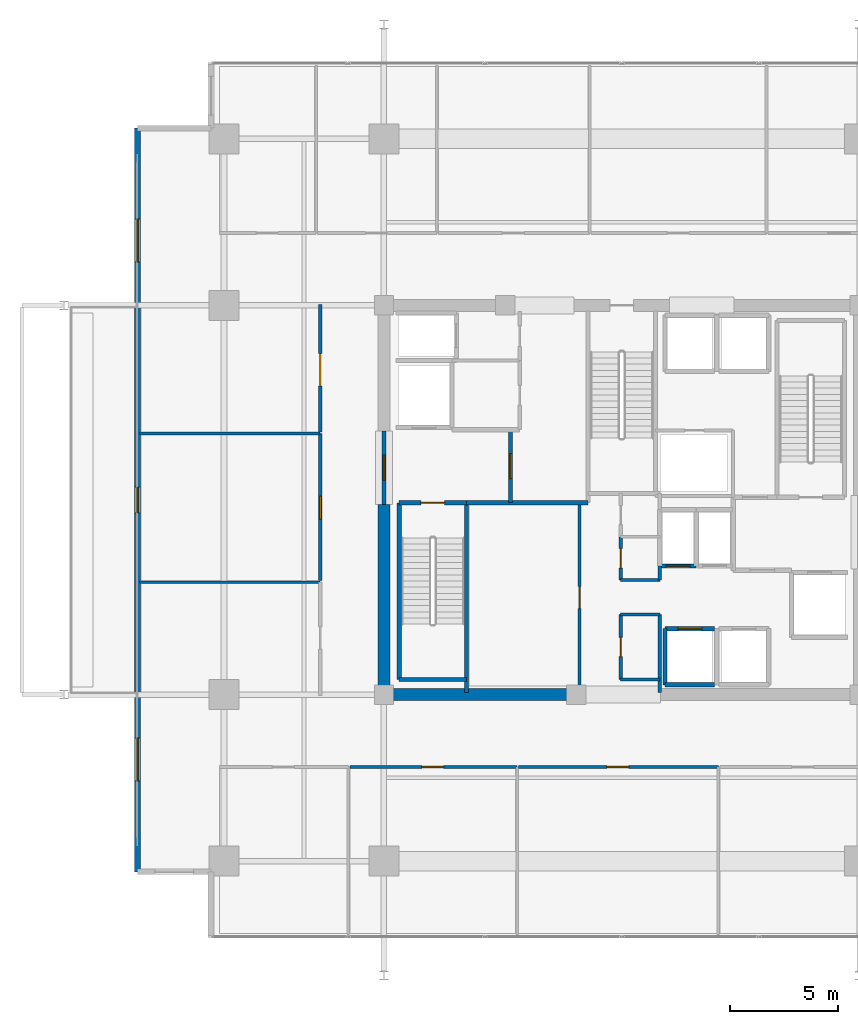
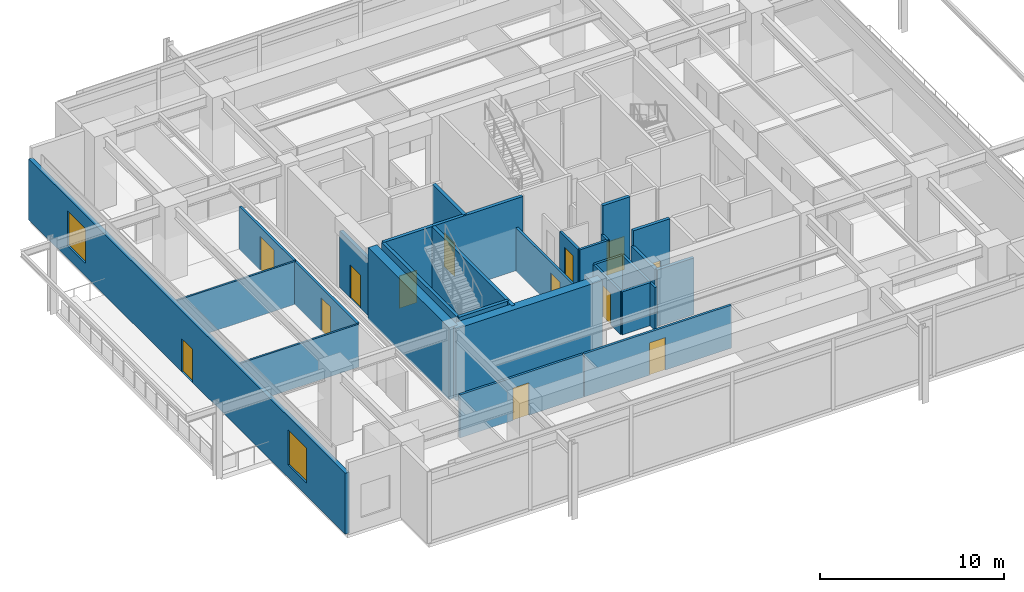
# One storey, part 12 of 19: 28 walls, 13 doors, 2 windows, 15 openings.
"""IFC4 building model written with IfcOpenShell, lengths in metres."""

from ifc_helpers import new_model, si_unit, direction, frame, frame_2d, origin, place, context, subcontext, project, spatial, rectangle, extrude, material, layer, layer_set, type_object, element, fill, save


model = new_model("IFC4")

# Units and contexts
model_context = context("Model", 3, precision=1e-05, world=origin(), true_north=direction((0.0, 1.0)))
body_context = subcontext(model_context, "Body", "Model", "MODEL_VIEW")
ifc_project = project(units=[si_unit("LENGTHUNIT", "METRE"), si_unit("AREAUNIT", "SQUARE_METRE"), si_unit("VOLUMEUNIT", "CUBIC_METRE"), si_unit("PLANEANGLEUNIT", "RADIAN"), si_unit("MASSUNIT", "GRAM", prefix="KILO")], contexts=[model_context])

# Site, building, storey
site_placement = place(None, origin())
site = spatial("IfcSite", under=ifc_project, at=site_placement, CompositionType="ELEMENT")
building_placement = place(site_placement, origin())
building = spatial("IfcBuilding", under=site, at=building_placement, Name="Kovane Verandah Tower", CompositionType="ELEMENT")
storey_placement = place(building_placement, frame((0.0, 0.0, 200.199951171875)))
storey = spatial("IfcBuildingStorey", under=building, at=storey_placement, Name="L46", CompositionType="ELEMENT", Elevation=200.199951171875)

# Walls
ifc_material_1 = material(Name="Fire-Rated Gypsum Stud Partition", Category="gypsum")
ifc_layer_1 = layer(ifc_material_1, 0.14990234375)
ifc_layer_set_1 = layer_set([ifc_layer_1], Name="Fire-Rated Gypsum Stud Partition")
wall_type_1 = type_object("IfcWallType", Name="WL-COR-150", PredefinedType="PARTITIONING", material=ifc_layer_set_1)
for number, where, z_axis, x_axis, name in (
    (1, (39.949951171875, 19.199951171875, 0.0), (0.0, 0.0, 1.0), (1.0, 0.0, 0.0), "L46 Central Core Strip South Wall"),
    (2, (39.949951171875, 22.199951171875, 0.0), (0.0, 0.0, 1.0), (1.0, 0.0, 0.0), "L46 Core Cross-Passage South Wall"),
    (3, (39.949951171875, 23.800048828125, 0.0), (0.0, 0.0, 1.0), (1.0, 0.0, 0.0), "L46 Core Cross-Passage North Wall"),
):
    element("IfcWall", number, at=place(storey_placement, frame(where, z_axis=z_axis, x_axis=x_axis)), inside=storey, type_object=wall_type_1, Name=name, PredefinedType="PARTITIONING", context=body_context, shape_type="SweptSolid", body=[
        extrude(rectangle(XDim=1.81005859375, YDim=0.14990234375, at=frame_2d((0.905029296875, 0.0))), origin(), (0.0, 0.0, 1.0), 2.85009765625),
    ])
wall_1_placement = place(storey_placement, frame((41.760009765625, 18.60009765625, 0.0), z_axis=(0.0, 0.0, 1.0), x_axis=(0.0, 1.0, 0.0)))
element("IfcWall", 4, at=wall_1_placement, inside=storey, type_object=wall_type_1, Name="L46 Central Core Strip Lower East Wall", PredefinedType="PARTITIONING", context=body_context, shape_type="SweptSolid", body=[
    extrude(rectangle(XDim=3.599853515625, YDim=0.14990234375, at=frame_2d((1.7998046875, 0.0))), origin(), (0.0, 0.0, 1.0), 2.85009765625),
])
wall_2_placement = place(storey_placement, frame((41.760009765625, 23.800048828125, 0.0), z_axis=(0.0, 0.0, 1.0), x_axis=(0.0, 1.0, 0.0)))
element("IfcWall", 5, at=wall_2_placement, inside=storey, type_object=wall_type_1, Name="L46 Central Core Strip Middle East Wall", PredefinedType="PARTITIONING", context=body_context, shape_type="SweptSolid", body=[
    extrude(rectangle(XDim=0.64990234375, YDim=0.14990234375, at=frame_2d((0.324951171875, 0.0))), origin(), (0.0, 0.0, 1.0), 2.85009765625),
])

# Wall, opening, door
wall_3_placement = place(storey_placement, frame((39.949951171875, 19.199951171875, 0.0), z_axis=(0.0, 0.0, 1.0), x_axis=(0.0, 1.0, 0.0)))
wall_3 = element("IfcWall", 6, at=wall_3_placement, inside=storey, type_object=wall_type_1, Name="L46 Male Toilet Partition", PredefinedType="PARTITIONING", context=body_context, shape_type="SweptSolid", body=[
    extrude(rectangle(XDim=3.0, YDim=0.14990234375, at=frame_2d((1.5, 0.0))), origin(), (0.0, 0.0, 1.0), 2.85009765625),
])
opening_1_placement = place(wall_3_placement, frame((1.050048828125, 0.0, 0.0)))
opening_1 = element("IfcOpeningElement", 7, at=opening_1_placement, cuts=wall_3, Name="Opening DR-L46-032", PredefinedType="OPENING", context=body_context, shape_type="SweptSolid", body=[
    extrude(rectangle(XDim=0.89990234375, YDim=2.10009765625, at=frame_2d((0.449951171875, 1.050048828125))), frame((0.0, 0.074951171875, 0.0), z_axis=(0.0, -1.0, 0.0), x_axis=(1.0, 0.0, 0.0)), (0.0, 0.0, 1.0), 0.14990234375),
])
ifc_material_2 = material(Name="Moisture-Resistant Laminate Washroom Door", Category="wood")
door_type_1 = type_object("IfcDoorType", Name="DR-WC-900", OperationType="SINGLE_SWING_LEFT", PredefinedType="DOOR", material=ifc_material_2)
door_1_placement = place(opening_1_placement, origin())
door_1 = element("IfcDoor", 8, at=door_1_placement, inside=storey, type_object=door_type_1, Name="L46 Male Toilet Door", OperationType="SINGLE_SWING_LEFT", OverallHeight=2.10009765625, OverallWidth=0.89990234375, PredefinedType="DOOR", context=body_context, shape_type="SweptSolid", body=[
    extrude(rectangle(XDim=0.89990234375, YDim=2.10009765625, at=frame_2d((0.449951171875, 1.050048828125))), frame((0.0, 0.02490234375, 0.0), z_axis=(0.0, -1.0, 0.0), x_axis=(1.0, 0.0, 0.0)), (0.0, 0.0, 1.0), 0.050048828125),
])
fill(opening_1, door_1)

wall_4_placement = place(storey_placement, frame((39.949951171875, 23.800048828125, 0.0), z_axis=(0.0, 0.0, 1.0), x_axis=(0.0, 1.0, 0.0)))
wall_4 = element("IfcWall", 9, at=wall_4_placement, inside=storey, type_object=wall_type_1, Name="L46 Female Toilet Partition", PredefinedType="PARTITIONING", context=body_context, shape_type="SweptSolid", body=[
    extrude(rectangle(XDim=2.0, YDim=0.14990234375, at=frame_2d((1.0, 0.0))), origin(), (0.0, 0.0, 1.0), 2.85009765625),
])
opening_2_placement = place(wall_4_placement, frame((0.550048828125, 0.0, 0.0)))
opening_2 = element("IfcOpeningElement", 10, at=opening_2_placement, cuts=wall_4, Name="Opening DR-L46-031", PredefinedType="OPENING", context=body_context, shape_type="SweptSolid", body=[
    extrude(rectangle(XDim=0.89990234375, YDim=2.10009765625, at=frame_2d((0.449951171875, 1.050048828125))), frame((0.0, 0.074951171875, 0.0), z_axis=(0.0, -1.0, 0.0), x_axis=(1.0, 0.0, 0.0)), (0.0, 0.0, 1.0), 0.14990234375),
])
door_2_placement = place(opening_2_placement, origin())
door_2 = element("IfcDoor", 11, at=door_2_placement, inside=storey, type_object=door_type_1, Name="L46 Female Toilet Door", OperationType="SINGLE_SWING_RIGHT", OverallHeight=2.10009765625, OverallWidth=0.89990234375, PredefinedType="DOOR", context=body_context, shape_type="SweptSolid", body=[
    extrude(rectangle(XDim=0.89990234375, YDim=2.10009765625, at=frame_2d((0.449951171875, 1.050048828125))), frame((0.0, 0.02490234375, 0.0), z_axis=(0.0, -1.0, 0.0), x_axis=(1.0, 0.0, 0.0)), (0.0, 0.0, 1.0), 0.050048828125),
])
fill(opening_2, door_2)

wall_5_placement = place(storey_placement, frame((38.050048828125, 18.60009765625, 0.0), z_axis=(0.0, 0.0, 1.0), x_axis=(0.0, 1.0, 0.0)))
wall_5 = element("IfcWall", 12, at=wall_5_placement, inside=storey, type_object=wall_type_1, Name="L46 Tenant Wellness and Archive Suite Partition", PredefinedType="PARTITIONING", context=body_context, shape_type="SweptSolid", body=[
    extrude(rectangle(XDim=8.77978515625, YDim=0.14990234375, at=frame_2d((4.389892578125, 0.0))), origin(), (0.0, 0.0, 1.0), 2.85009765625),
])
opening_3_placement = place(wall_5_placement, frame((3.889892578125, 0.0, 0.0)))
opening_3 = element("IfcOpeningElement", 13, at=opening_3_placement, cuts=wall_5, Name="Opening DR-L46-016", PredefinedType="OPENING", context=body_context, shape_type="SweptSolid", body=[
    extrude(rectangle(XDim=1.0, YDim=2.14990234375, at=frame_2d((0.5, 1.074951171875))), frame((0.0, 0.074951171875, 0.0), z_axis=(0.0, -1.0, 0.0), x_axis=(1.0, 0.0, 0.0)), (0.0, 0.0, 1.0), 0.14990234375),
])
ifc_material_3 = material(Name="FSC Spotted-Gum Timber Fire-Rated Office Door", Category="wood")
door_type_2 = type_object("IfcDoorType", Name="DR-OFF-1000", OperationType="SINGLE_SWING_LEFT", PredefinedType="DOOR", material=ifc_material_3)
door_3_placement = place(opening_3_placement, origin())
door_3 = element("IfcDoor", 14, at=door_3_placement, inside=storey, type_object=door_type_2, Name="L46 Tenant Wellness and Archive Suite Door", OperationType="SINGLE_SWING_RIGHT", OverallHeight=2.14990234375, OverallWidth=1.0, PredefinedType="DOOR", context=body_context, shape_type="SweptSolid", body=[
    extrude(rectangle(XDim=1.0, YDim=2.14990234375, at=frame_2d((0.5, 1.074951171875))), frame((0.0, 0.02490234375, 0.0), z_axis=(0.0, -1.0, 0.0), x_axis=(1.0, 0.0, 0.0)), (0.0, 0.0, 1.0), 0.050048828125),
])
fill(opening_3, door_3)

wall_6_placement = place(storey_placement, frame((27.422119140625, 15.14990234375, 0.0), z_axis=(0.0, 0.0, 1.0), x_axis=(1.0, 0.0, 0.0)))
wall_6 = element("IfcWall", 15, at=wall_6_placement, inside=storey, type_object=wall_type_1, Name="L46 Focus Studio S2 Corridor Partition", PredefinedType="PARTITIONING", context=body_context, shape_type="SweptSolid", body=[
    extrude(rectangle(XDim=7.741943359375, YDim=0.14990234375, at=frame_2d((3.87109375, 0.0))), origin(), (0.0, 0.0, 1.0), 2.85009765625),
])
opening_4_placement = place(wall_6_placement, frame((3.3359375, 0.0, 0.0)))
opening_4 = element("IfcOpeningElement", 16, at=opening_4_placement, cuts=wall_6, Name="Opening DR-L46-025", PredefinedType="OPENING", context=body_context, shape_type="SweptSolid", body=[
    extrude(rectangle(XDim=1.0, YDim=2.14990234375, at=frame_2d((0.5, 1.074951171875))), frame((0.0, 0.074951171875, 0.0), z_axis=(0.0, -1.0, 0.0), x_axis=(1.0, 0.0, 0.0)), (0.0, 0.0, 1.0), 0.14990234375),
])
door_4_placement = place(opening_4_placement, origin())
door_4 = element("IfcDoor", 17, at=door_4_placement, inside=storey, type_object=door_type_2, Name="L46 Focus Studio S2 Entrance Door", OperationType="SINGLE_SWING_LEFT", OverallHeight=2.14990234375, OverallWidth=1.0, PredefinedType="DOOR", context=body_context, shape_type="SweptSolid", body=[
    extrude(rectangle(XDim=1.0, YDim=2.14990234375, at=frame_2d((0.5, 1.074951171875))), frame((0.0, 0.02490234375, 0.0), z_axis=(0.0, -1.0, 0.0), x_axis=(1.0, 0.0, 0.0)), (0.0, 0.0, 1.0), 0.050048828125),
])
fill(opening_4, door_4)

wall_7_placement = place(storey_placement, frame((35.23388671875, 15.14990234375, 0.0), z_axis=(0.0, 0.0, 1.0), x_axis=(1.0, 0.0, 0.0)))
wall_7 = element("IfcWall", 18, at=wall_7_placement, inside=storey, type_object=wall_type_1, Name="L46 Breakout Pantry S3 Corridor Partition", PredefinedType="PARTITIONING", context=body_context, shape_type="SweptSolid", body=[
    extrude(rectangle(XDim=9.230224609375, YDim=0.14990234375, at=frame_2d((4.615234375, 0.0))), origin(), (0.0, 0.0, 1.0), 2.85009765625),
])
opening_5_placement = place(wall_7_placement, frame((4.080078125, 0.0, 0.0)))
opening_5 = element("IfcOpeningElement", 19, at=opening_5_placement, cuts=wall_7, Name="Opening DR-L46-026", PredefinedType="OPENING", context=body_context, shape_type="SweptSolid", body=[
    extrude(rectangle(XDim=1.0, YDim=2.14990234375, at=frame_2d((0.5, 1.074951171875))), frame((0.0, 0.074951171875, 0.0), z_axis=(0.0, -1.0, 0.0), x_axis=(1.0, 0.0, 0.0)), (0.0, 0.0, 1.0), 0.14990234375),
])
door_5_placement = place(opening_5_placement, origin())
door_5 = element("IfcDoor", 20, at=door_5_placement, inside=storey, type_object=door_type_2, Name="L46 Breakout Pantry S3 Entrance Door", OperationType="SINGLE_SWING_RIGHT", OverallHeight=2.14990234375, OverallWidth=1.0, PredefinedType="DOOR", context=body_context, shape_type="SweptSolid", body=[
    extrude(rectangle(XDim=1.0, YDim=2.14990234375, at=frame_2d((0.5, 1.074951171875))), frame((0.0, 0.02490234375, 0.0), z_axis=(0.0, -1.0, 0.0), x_axis=(1.0, 0.0, 0.0)), (0.0, 0.0, 1.0), 0.050048828125),
])
fill(opening_5, door_5)

wall_8_placement = place(storey_placement, frame((26.050048828125, 23.76904296875, 0.0), z_axis=(0.0, 0.0, 1.0), x_axis=(0.0, 1.0, 0.0)))
wall_8 = element("IfcWall", 21, at=wall_8_placement, inside=storey, type_object=wall_type_1, Name="L46 Executive Office W2 Corridor Partition", PredefinedType="PARTITIONING", context=body_context, shape_type="SweptSolid", body=[
    extrude(rectangle(XDim=6.807861328125, YDim=0.14990234375, at=frame_2d((3.40380859375, 0.0))), origin(), (0.0, 0.0, 1.0), 2.85009765625),
])
opening_6_placement = place(wall_8_placement, frame((2.843994140625, 0.0, 0.0)))
opening_6 = element("IfcOpeningElement", 22, at=opening_6_placement, cuts=wall_8, Name="Opening DR-L46-034", PredefinedType="OPENING", context=body_context, shape_type="SweptSolid", body=[
    extrude(rectangle(XDim=1.050048828125, YDim=2.199951171875, at=frame_2d((0.52490234375, 1.10009765625))), frame((0.0, 0.074951171875, 0.0), z_axis=(0.0, -1.0, 0.0), x_axis=(1.0, 0.0, 0.0)), (0.0, 0.0, 1.0), 0.14990234375),
])
ifc_material_4 = material(Name="FSC Blackbutt Timber Fire-Rated Executive Door", Category="wood")
door_type_3 = type_object("IfcDoorType", Name="DR-EXEC-1050", OperationType="SINGLE_SWING_LEFT", PredefinedType="DOOR", material=ifc_material_4)
door_6_placement = place(opening_6_placement, origin())
door_6 = element("IfcDoor", 23, at=door_6_placement, inside=storey, type_object=door_type_3, Name="L46 Executive Office W2 Entrance Door", OperationType="SINGLE_SWING_RIGHT", OverallHeight=2.199951171875, OverallWidth=1.050048828125, PredefinedType="DOOR", context=body_context, shape_type="SweptSolid", body=[
    extrude(rectangle(XDim=1.050048828125, YDim=2.199951171875, at=frame_2d((0.52490234375, 1.10009765625))), frame((0.0, 0.02490234375, 0.0), z_axis=(0.0, -1.0, 0.0), x_axis=(1.0, 0.0, 0.0)), (0.0, 0.0, 1.0), 0.050048828125),
])
fill(opening_6, door_6)

wall_9_placement = place(storey_placement, frame((26.050048828125, 30.64697265625, 0.0), z_axis=(0.0, 0.0, 1.0), x_axis=(0.0, 1.0, 0.0)))
wall_9 = element("IfcWall", 24, at=wall_9_placement, inside=storey, type_object=wall_type_1, Name="L46 Client Boardroom W3 Corridor Partition", PredefinedType="PARTITIONING", context=body_context, shape_type="SweptSolid", body=[
    extrude(rectangle(XDim=5.903076171875, YDim=0.14990234375, at=frame_2d((2.95166015625, 0.0))), origin(), (0.0, 0.0, 1.0), 2.85009765625),
])
opening_7_placement = place(wall_9_placement, frame((2.12646484375, 0.0, 0.0)))
opening_7 = element("IfcOpeningElement", 25, at=opening_7_placement, cuts=wall_9, Name="Opening DR-L46-035", PredefinedType="OPENING", context=body_context, shape_type="SweptSolid", body=[
    extrude(rectangle(XDim=1.5, YDim=2.25, at=frame_2d((0.75, 1.125))), frame((0.0, 0.074951171875, 0.0), z_axis=(0.0, -1.0, 0.0), x_axis=(1.0, 0.0, 0.0)), (0.0, 0.0, 1.0), 0.14990234375),
])
ifc_material_5 = material(Name="Glazed Timber Fire-Rated Double Door", Category="wood")
door_type_4 = type_object("IfcDoorType", Name="DR-CONF-1500", OperationType="DOUBLE_DOOR_SINGLE_SWING", PredefinedType="DOOR", material=ifc_material_5)
door_7_placement = place(opening_7_placement, origin())
door_7 = element("IfcDoor", 26, at=door_7_placement, inside=storey, type_object=door_type_4, Name="L46 Client Boardroom W3 Entrance Door", OperationType="DOUBLE_DOOR_SINGLE_SWING", OverallHeight=2.25, OverallWidth=1.5, PredefinedType="DOOR", context=body_context, shape_type="SweptSolid", body=[
    extrude(rectangle(XDim=1.5, YDim=2.25, at=frame_2d((0.75, 1.125))), frame((0.0, 0.02490234375, 0.0), z_axis=(0.0, -1.0, 0.0), x_axis=(1.0, 0.0, 0.0)), (0.0, 0.0, 1.0), 0.050048828125),
])
fill(opening_7, door_7)

# Walls
ifc_material_6 = material(Name="Concrete C60/75", Category="concrete")
ifc_layer_2 = layer(ifc_material_6, 0.550048828125)
ifc_layer_set_2 = layer_set([ifc_layer_2], Name="Concrete C60/75")
wall_type_2 = type_object("IfcWallType", Name="WL-CORE-550", PredefinedType="SHEAR", material=ifc_layer_set_2)
wall_10_placement = place(storey_placement, frame((29.0, 18.5, 0.0), z_axis=(0.0, 0.0, 1.0), x_axis=(1.0, 0.0, 0.0)))
element("IfcWall", 27, at=wall_10_placement, inside=storey, type_object=wall_type_2, Name="L46 Core Shear Wall CS-1", PredefinedType="SHEAR", context=body_context, shape_type="SweptSolid", body=[
    extrude(rectangle(XDim=9.199951171875, YDim=0.550048828125, at=frame_2d((4.60009765625, 0.0))), origin(), (0.0, 0.0, 1.0), 4.775146484375),
])
wall_11_placement = place(storey_placement, frame((29.0, 18.5, 0.0), z_axis=(0.0, 0.0, 1.0), x_axis=(0.0, 1.0, 0.0)))
element("IfcWall", 28, at=wall_11_placement, inside=storey, type_object=wall_type_2, Name="L46 Core Shear Wall CW-1", PredefinedType="SHEAR", context=body_context, shape_type="SweptSolid", body=[
    extrude(rectangle(XDim=8.800048828125, YDim=0.550048828125, at=frame_2d((4.39990234375, 0.0))), origin(), (0.0, 0.0, 1.0), 4.775146484375),
])

# Wall, opening, door
ifc_material_7 = material(Name="Concrete C45/55 Fire Wall", Category="concrete")
ifc_layer_3 = layer(ifc_material_7, 0.199951171875)
ifc_layer_set_3 = layer_set([ifc_layer_3], Name="Concrete C45/55 Fire Wall")
wall_type_3 = type_object("IfcWallType", Name="WL-FFL-200", PredefinedType="PARTITIONING", material=ifc_layer_set_3)
wall_12_placement = place(storey_placement, frame((34.85009765625, 27.3798828125, 0.0), z_axis=(0.0, 0.0, 1.0), x_axis=(0.0, 1.0, 0.0)))
wall_12 = element("IfcWall", 29, at=wall_12_placement, inside=storey, type_object=wall_type_3, Name="W-L46-FFLW-E", PredefinedType="PARTITIONING", context=body_context, shape_type="SweptSolid", body=[
    extrude(rectangle(XDim=3.3701171875, YDim=0.199951171875, at=frame_2d((1.68505859375, 0.0))), origin(), (0.0, 0.0, 1.0), 4.775146484375),
])
opening_8_placement = place(wall_12_placement, frame((1.110107421875, 0.0, 0.0)))
opening_8 = element("IfcOpeningElement", 30, at=opening_8_placement, cuts=wall_12, Name="Opening DR-L46-006", PredefinedType="OPENING", context=body_context, shape_type="SweptSolid", body=[
    extrude(rectangle(XDim=1.14990234375, YDim=2.199951171875, at=frame_2d((0.574951171875, 1.10009765625))), frame((0.0, 0.10009765625, 0.0), z_axis=(0.0, -1.0, 0.0), x_axis=(1.0, 0.0, 0.0)), (0.0, 0.0, 1.0), 0.199951171875),
])
ifc_material_8 = material(Name="Smoke-Sealed Firefighting Lobby Door", Category="steel")
door_type_5 = type_object("IfcDoorType", Name="DR-FFL-1150", OperationType="SINGLE_SWING_LEFT", PredefinedType="DOOR", material=ifc_material_8)
door_8_placement = place(opening_8_placement, origin())
door_8 = element("IfcDoor", 31, at=door_8_placement, inside=storey, type_object=door_type_5, Name="L46 West Firefighting Lobby Inner Door", OperationType="SINGLE_SWING_LEFT", OverallHeight=2.199951171875, OverallWidth=1.14990234375, PredefinedType="DOOR", context=body_context, shape_type="SweptSolid", body=[
    extrude(rectangle(XDim=1.14990234375, YDim=2.199951171875, at=frame_2d((0.574951171875, 1.10009765625))), frame((0.0, 0.02490234375, 0.0), z_axis=(0.0, -1.0, 0.0), x_axis=(1.0, 0.0, 0.0)), (0.0, 0.0, 1.0), 0.050048828125),
])
fill(opening_8, door_8)

wall_13_placement = place(storey_placement, frame((29.0, 27.300048828125, 0.0), z_axis=(0.0, 0.0, 1.0), x_axis=(0.0, 1.0, 0.0)))
wall_13 = element("IfcWall", 32, at=wall_13_placement, inside=storey, type_object=wall_type_3, Name="W-L46-FFLW-OUT", PredefinedType="PARTITIONING", context=body_context, shape_type="SweptSolid", body=[
    extrude(rectangle(XDim=3.39990234375, YDim=0.199951171875, at=frame_2d((1.699951171875, 0.0))), origin(), (0.0, 0.0, 1.0), 3.755126953125),
])
opening_9_placement = place(wall_13_placement, frame((1.125, 0.0, 0.0)))
opening_9 = element("IfcOpeningElement", 33, at=opening_9_placement, cuts=wall_13, Name="Opening DR-L46-007", PredefinedType="OPENING", context=body_context, shape_type="SweptSolid", body=[
    extrude(rectangle(XDim=1.14990234375, YDim=2.199951171875, at=frame_2d((0.574951171875, 1.10009765625))), frame((0.0, 0.10009765625, 0.0), z_axis=(0.0, -1.0, 0.0), x_axis=(1.0, 0.0, 0.0)), (0.0, 0.0, 1.0), 0.199951171875),
])
door_9_placement = place(opening_9_placement, origin())
door_9 = element("IfcDoor", 34, at=door_9_placement, inside=storey, type_object=door_type_5, Name="L46 West Firefighting Lobby Corridor Door", OperationType="SINGLE_SWING_RIGHT", OverallHeight=2.199951171875, OverallWidth=1.14990234375, PredefinedType="DOOR", context=body_context, shape_type="SweptSolid", body=[
    extrude(rectangle(XDim=1.14990234375, YDim=2.199951171875, at=frame_2d((0.574951171875, 1.10009765625))), frame((0.0, 0.02490234375, 0.0), z_axis=(0.0, -1.0, 0.0), x_axis=(1.0, 0.0, 0.0)), (0.0, 0.0, 1.0), 0.050048828125),
])
fill(opening_9, door_9)

# Walls
wall_14_placement = place(storey_placement, frame((32.820068359375, 27.3798828125, 0.0), z_axis=(0.0, 0.0, 1.0), x_axis=(1.0, 0.0, 0.0)))
element("IfcWall", 35, at=wall_14_placement, inside=storey, type_object=wall_type_3, Name="L46 West Firefighting Lobby South Fire Wall", PredefinedType="PARTITIONING", context=body_context, shape_type="SweptSolid", body=[
    extrude(rectangle(XDim=5.619873046875, YDim=0.199951171875, at=frame_2d((2.81005859375, 0.0))), origin(), (0.0, 0.0, 1.0), 4.775146484375),
])
ifc_material_9 = material(Name="Concrete C45/55 Lift Shaft Wall", Category="concrete")
ifc_layer_4 = layer(ifc_material_9, 0.199951171875)
ifc_layer_set_4 = layer_set([ifc_layer_4], Name="Concrete C45/55 Lift Shaft Wall")
wall_type_4 = type_object("IfcWallType", Name="WL-LIFT-200", PredefinedType="SOLIDWALL", material=ifc_layer_set_4)
wall_15_placement = place(storey_placement, frame((42.0, 18.949951171875, 0.0), z_axis=(0.0, 0.0, 1.0), x_axis=(1.0, 0.0, 0.0)))
element("IfcWall", 36, at=wall_15_placement, inside=storey, type_object=wall_type_4, Name="L46 Lift PL-M1 S Shaft Wall", PredefinedType="SOLIDWALL", context=body_context, shape_type="SweptSolid", body=[
    extrude(rectangle(XDim=2.300048828125, YDim=0.199951171875, at=frame_2d((1.14990234375, 0.0))), origin(), (0.0, 0.0, 1.0), 3.755126953125),
])

# Wall, opening, door
wall_16_placement = place(storey_placement, frame((44.300048828125, 21.550048828125, 0.0), z_axis=(0.0, 0.0, 1.0), x_axis=(-1.0, 0.0, 0.0)))
wall_16 = element("IfcWall", 37, at=wall_16_placement, inside=storey, type_object=wall_type_4, Name="L46 Lift PL-M1 N Shaft Wall", PredefinedType="SOLIDWALL", context=body_context, shape_type="SweptSolid", body=[
    extrude(rectangle(XDim=2.300048828125, YDim=0.199951171875, at=frame_2d((1.14990234375, 0.0))), origin(), (0.0, 0.0, 1.0), 4.775146484375),
])
opening_10_placement = place(wall_16_placement, frame((0.60009765625, 0.0, 0.0)))
opening_10 = element("IfcOpeningElement", 38, at=opening_10_placement, cuts=wall_16, Name="Opening LD-L46-004", PredefinedType="OPENING", context=body_context, shape_type="SweptSolid", body=[
    extrude(rectangle(XDim=1.10009765625, YDim=2.199951171875, at=frame_2d((0.550048828125, 1.10009765625))), frame((0.0, 0.10009765625, 0.0), z_axis=(0.0, -1.0, 0.0), x_axis=(1.0, 0.0, 0.0)), (0.0, 0.0, 1.0), 0.199951171875),
])
ifc_material_10 = material(Name="Brushed Stainless Steel Sliding Lift Landing Door", Category="steel")
door_type_6 = type_object("IfcDoorType", Name="DR-LIFT-1100", OperationType="SLIDING_TO_RIGHT", PredefinedType="DOOR", material=ifc_material_10)
door_10_placement = place(opening_10_placement, origin())
door_10 = element("IfcDoor", 39, at=door_10_placement, inside=storey, type_object=door_type_6, Name="L46 Lift PL-M1 Sliding Landing Door", OperationType="SLIDING_TO_RIGHT", OverallHeight=2.199951171875, OverallWidth=1.10009765625, PredefinedType="DOOR", context=body_context, shape_type="SweptSolid", body=[
    extrude(rectangle(XDim=1.10009765625, YDim=2.199951171875, at=frame_2d((0.550048828125, 1.10009765625))), frame((0.0, 0.02490234375, 0.0), z_axis=(0.0, -1.0, 0.0), x_axis=(1.0, 0.0, 0.0)), (0.0, 0.0, 1.0), 0.050048828125),
])
fill(opening_10, door_10)

# Wall
wall_17_placement = place(storey_placement, frame((42.0, 21.550048828125, 0.0), z_axis=(0.0, 0.0, 1.0), x_axis=(0.0, -1.0, 0.0)))
element("IfcWall", 40, at=wall_17_placement, inside=storey, type_object=wall_type_4, Name="L46 Lift PL-M1 W Shaft Wall", PredefinedType="SOLIDWALL", context=body_context, shape_type="SweptSolid", body=[
    extrude(rectangle(XDim=2.60009765625, YDim=0.199951171875, at=frame_2d((1.300048828125, 0.0))), origin(), (0.0, 0.0, 1.0), 3.755126953125),
])

# Wall, opening, door
wall_18_placement = place(storey_placement, frame((41.760009765625, 24.449951171875, 0.0), z_axis=(0.0, 0.0, 1.0), x_axis=(1.0, 0.0, 0.0)))
wall_18 = element("IfcWall", 41, at=wall_18_placement, inside=storey, type_object=wall_type_4, Name="L46 Lift PL-M3 S Shaft Wall", PredefinedType="SOLIDWALL", context=body_context, shape_type="SweptSolid", body=[
    extrude(rectangle(XDim=1.679931640625, YDim=0.199951171875, at=frame_2d((0.83984375, 0.0))), origin(), (0.0, 0.0, 1.0), 4.775146484375),
])
opening_11_placement = place(wall_18_placement, frame((0.2900390625, 0.0, 0.0)))
opening_11 = element("IfcOpeningElement", 42, at=opening_11_placement, cuts=wall_18, Name="Opening LD-L46-006", PredefinedType="OPENING", context=body_context, shape_type="SweptSolid", body=[
    extrude(rectangle(XDim=1.10009765625, YDim=2.199951171875, at=frame_2d((0.550048828125, 1.10009765625))), frame((0.0, 0.10009765625, 0.0), z_axis=(0.0, -1.0, 0.0), x_axis=(1.0, 0.0, 0.0)), (0.0, 0.0, 1.0), 0.199951171875),
])
door_11_placement = place(opening_11_placement, origin())
door_11 = element("IfcDoor", 43, at=door_11_placement, inside=storey, type_object=door_type_6, Name="L46 Lift PL-M3 Sliding Landing Door", OperationType="SLIDING_TO_RIGHT", OverallHeight=2.199951171875, OverallWidth=1.10009765625, PredefinedType="DOOR", context=body_context, shape_type="SweptSolid", body=[
    extrude(rectangle(XDim=1.10009765625, YDim=2.199951171875, at=frame_2d((0.550048828125, 1.10009765625))), frame((0.0, 0.02490234375, 0.0), z_axis=(0.0, -1.0, 0.0), x_axis=(1.0, 0.0, 0.0)), (0.0, 0.0, 1.0), 0.050048828125),
])
fill(opening_11, door_11)

# Walls
ifc_material_11 = material(Name="Acoustic Fire-Rated Gypsum Partition", Category="gypsum")
ifc_layer_5 = layer(ifc_material_11, 0.1201171875)
ifc_layer_set_5 = layer_set([ifc_layer_5], Name="Acoustic Fire-Rated Gypsum Partition")
wall_type_5 = type_object("IfcWallType", Name="WL-PART-120", PredefinedType="PARTITIONING", material=ifc_layer_set_5)
for number, where, z_axis, x_axis, name in (
    (44, (17.699951171875, 23.698974609375, 0.0), (0.0, 0.0, 1.0), (1.0, 0.0, 0.0), "L46 Open Plan Office W1 Dividing Partition"),
    (45, (17.699951171875, 30.576904296875, 0.0), (0.0, 0.0, 1.0), (1.0, 0.0, 0.0), "L46 Executive Office W2 Dividing Partition"),
):
    element("IfcWall", number, at=place(storey_placement, frame(where, z_axis=z_axis, x_axis=x_axis)), inside=storey, type_object=wall_type_5, Name=name, PredefinedType="PARTITIONING", context=body_context, shape_type="SweptSolid", body=[
        extrude(rectangle(XDim=8.35009765625, YDim=0.1201171875, at=frame_2d((4.175048828125, 0.0))), origin(), (0.0, 0.0, 1.0), 2.85009765625),
    ])
ifc_material_12 = material(Name="Concrete C45/55", Category="concrete")
ifc_layer_6 = layer(ifc_material_12, 0.199951171875)
ifc_layer_set_6 = layer_set([ifc_layer_6], Name="Concrete C45/55")
wall_type_6 = type_object("IfcWallType", Name="WL-SHAFT-200", PredefinedType="SOLIDWALL", material=ifc_layer_set_6)
wall_19_placement = place(storey_placement, frame((29.699951171875, 19.199951171875, 0.0), z_axis=(0.0, 0.0, 1.0), x_axis=(0.0, 1.0, 0.0)))
element("IfcWall", 46, at=wall_19_placement, inside=storey, type_object=wall_type_6, Name="W-L46-ST01-W", PredefinedType="SOLIDWALL", context=body_context, shape_type="SweptSolid", body=[
    extrude(rectangle(XDim=8.150146484375, YDim=0.199951171875, at=frame_2d((4.0751953125, 0.0))), origin(), (0.0, 0.0, 1.0), 4.775146484375),
])
wall_20_placement = place(storey_placement, frame((29.699951171875, 19.199951171875, 0.0), z_axis=(0.0, 0.0, 1.0), x_axis=(1.0, 0.0, 0.0)))
element("IfcWall", 47, at=wall_20_placement, inside=storey, type_object=wall_type_6, Name="W-L46-ST01-S", PredefinedType="SOLIDWALL", context=body_context, shape_type="SweptSolid", body=[
    extrude(rectangle(XDim=3.1201171875, YDim=0.199951171875, at=frame_2d((1.56005859375, 0.0))), origin(), (0.0, 0.0, 1.0), 4.775146484375),
])
wall_21_placement = place(storey_placement, frame((32.820068359375, 18.60009765625, 0.0), z_axis=(0.0, 0.0, 1.0), x_axis=(0.0, 1.0, 0.0)))
element("IfcWall", 48, at=wall_21_placement, inside=storey, type_object=wall_type_6, Name="W-L46-ST01-E", PredefinedType="SOLIDWALL", context=body_context, shape_type="SweptSolid", body=[
    extrude(rectangle(XDim=8.77978515625, YDim=0.199951171875, at=frame_2d((4.389892578125, 0.0))), origin(), (0.0, 0.0, 1.0), 4.775146484375),
])

# Wall, opening, door
wall_22_placement = place(storey_placement, frame((29.699951171875, 27.3798828125, 0.0), z_axis=(0.0, 0.0, 1.0), x_axis=(1.0, 0.0, 0.0)))
wall_22 = element("IfcWall", 49, at=wall_22_placement, inside=storey, type_object=wall_type_6, Name="W-L46-ST01-N", PredefinedType="SOLIDWALL", context=body_context, shape_type="SweptSolid", body=[
    extrude(rectangle(XDim=3.1201171875, YDim=0.199951171875, at=frame_2d((1.56005859375, 0.0))), origin(), (0.0, 0.0, 1.0), 4.775146484375),
])
opening_12_placement = place(wall_22_placement, frame((1.010009765625, 0.0, 0.0)))
opening_12 = element("IfcOpeningElement", 50, at=opening_12_placement, cuts=wall_22, Name="Opening DR-L46-009", PredefinedType="OPENING", context=body_context, shape_type="SweptSolid", body=[
    extrude(rectangle(XDim=1.10009765625, YDim=2.14990234375, at=frame_2d((0.550048828125, 1.074951171875))), frame((0.0, 0.10009765625, 0.0), z_axis=(0.0, -1.0, 0.0), x_axis=(1.0, 0.0, 0.0)), (0.0, 0.0, 1.0), 0.199951171875),
])
ifc_material_13 = material(Name="Fire-Rated Steel Exit Door", Category="steel")
door_type_7 = type_object("IfcDoorType", Name="DR-STAIR-1100", OperationType="SINGLE_SWING_LEFT", PredefinedType="DOOR", material=ifc_material_13)
door_12_placement = place(opening_12_placement, origin())
door_12 = element("IfcDoor", 51, at=door_12_placement, inside=storey, type_object=door_type_7, Name="L46 ST-01 Fire Exit Stair Door", OperationType="SINGLE_SWING_RIGHT", OverallHeight=2.14990234375, OverallWidth=1.10009765625, PredefinedType="DOOR", context=body_context, shape_type="SweptSolid", body=[
    extrude(rectangle(XDim=1.10009765625, YDim=2.14990234375, at=frame_2d((0.550048828125, 1.074951171875))), frame((0.0, 0.02490234375, 0.0), z_axis=(0.0, -1.0, 0.0), x_axis=(1.0, 0.0, 0.0)), (0.0, 0.0, 1.0), 0.050048828125),
])
fill(opening_12, door_12)

# Wall, openings, door, windows
ifc_material_14 = material(Name="Concrete C45/55 Insulated Spandrel Wall", Category="concrete")
ifc_layer_7 = layer(ifc_material_14, 0.260009765625)
ifc_layer_set_7 = layer_set([ifc_layer_7], Name="Concrete C45/55 Insulated Spandrel Wall")
wall_type_7 = type_object("IfcWallType", Name="WL-SPANDREL-260", PredefinedType="PARAPET", material=ifc_layer_set_7)
wall_23_placement = place(storey_placement, frame((17.60009765625, 44.699951171875, 0.0), z_axis=(0.0, 0.0, 1.0), x_axis=(0.0, -1.0, 0.0)))
wall_23 = element("IfcWall", 52, at=wall_23_placement, inside=storey, type_object=wall_type_7, Name="L46 W Verandah Access Facade Wall", PredefinedType="PARAPET", context=body_context, shape_type="SweptSolid", body=[
    extrude(rectangle(XDim=34.39990234375, YDim=0.260009765625, at=frame_2d((17.199951171875, 0.0))), origin(), (0.0, 0.0, 1.0), 4.047119140625),
])
opening_13_placement = place(wall_23_placement, frame((4.199951171875, 0.0, 0.85009765625)))
opening_13 = element("IfcOpeningElement", 53, at=opening_13_placement, cuts=wall_23, Name="Opening W-04", PredefinedType="OPENING", context=body_context, shape_type="SweptSolid", body=[
    extrude(rectangle(XDim=2.0, YDim=2.300048828125, at=frame_2d((1.0, 1.14990234375))), frame((0.0, 0.1298828125, 0.0), z_axis=(0.0, -1.0, 0.0), x_axis=(1.0, 0.0, 0.0)), (0.0, 0.0, 1.0), 0.260009765625),
])
opening_14_placement = place(wall_23_placement, frame((16.60009765625, 0.0, 0.0)))
opening_14 = element("IfcOpeningElement", 54, at=opening_14_placement, cuts=wall_23, Name="Opening DR-L46-002", PredefinedType="OPENING", context=body_context, shape_type="SweptSolid", body=[
    extrude(rectangle(XDim=1.199951171875, YDim=2.199951171875, at=frame_2d((0.60009765625, 1.10009765625))), frame((0.0, 0.1298828125, 0.0), z_axis=(0.0, -1.0, 0.0), x_axis=(1.0, 0.0, 0.0)), (0.0, 0.0, 1.0), 0.260009765625),
])
opening_15_placement = place(wall_23_placement, frame((28.199951171875, 0.0, 0.85009765625)))
opening_15 = element("IfcOpeningElement", 55, at=opening_15_placement, cuts=wall_23, Name="Opening W-04", PredefinedType="OPENING", context=body_context, shape_type="SweptSolid", body=[
    extrude(rectangle(XDim=2.0, YDim=2.300048828125, at=frame_2d((1.0, 1.14990234375))), frame((0.0, 0.1298828125, 0.0), z_axis=(0.0, -1.0, 0.0), x_axis=(1.0, 0.0, 0.0)), (0.0, 0.0, 1.0), 0.260009765625),
])
ifc_material_15 = material(Name="Cyclone-Rated Glazed Balcony Leaf Door", Category="aluminium")
door_type_8 = type_object("IfcDoorType", Name="DR-BAL-1200x2200", OperationType="SINGLE_SWING_LEFT", PredefinedType="DOOR", material=ifc_material_15)
door_13_placement = place(opening_14_placement, origin())
door_13 = element("IfcDoor", 56, at=door_13_placement, inside=storey, type_object=door_type_8, Name="L46 W Planted Balcony Access Door", OperationType="SINGLE_SWING_LEFT", OverallHeight=2.199951171875, OverallWidth=1.199951171875, PredefinedType="DOOR", context=body_context, shape_type="SweptSolid", body=[
    extrude(rectangle(XDim=1.199951171875, YDim=2.199951171875, at=frame_2d((0.60009765625, 1.10009765625))), frame((0.0, 0.02490234375, 0.0), z_axis=(0.0, -1.0, 0.0), x_axis=(1.0, 0.0, 0.0)), (0.0, 0.0, 1.0), 0.050048828125),
])
fill(opening_14, door_13)
ifc_material_16 = material(Name="Clear Low-E Laminated Double Glazing in Anodised Frame", Category="glass")
window_type = type_object("IfcWindowType", Name="WN-FIXED-2000x2300", PartitioningType="SINGLE_PANEL", PredefinedType="WINDOW", material=ifc_material_16)
window_1_placement = place(opening_13_placement, origin())
window_1 = element("IfcWindow", 57, at=window_1_placement, inside=storey, type_object=window_type, Name="L46 W Verandah View Window 1", OverallHeight=2.300048828125, OverallWidth=2.0, PartitioningType="SINGLE_PANEL", PredefinedType="WINDOW", context=body_context, shape_type="SweptSolid", body=[
    extrude(rectangle(XDim=2.0, YDim=2.300048828125, at=frame_2d((1.0, 1.14990234375))), frame((0.0, 0.030029296875, 0.0), z_axis=(0.0, -1.0, 0.0), x_axis=(1.0, 0.0, 0.0)), (0.0, 0.0, 1.0), 0.06005859375),
])
fill(opening_13, window_1)
window_2_placement = place(opening_15_placement, origin())
window_2 = element("IfcWindow", 58, at=window_2_placement, inside=storey, type_object=window_type, Name="L46 W Verandah View Window 2", OverallHeight=2.300048828125, OverallWidth=2.0, PartitioningType="SINGLE_PANEL", PredefinedType="WINDOW", context=body_context, shape_type="SweptSolid", body=[
    extrude(rectangle(XDim=2.0, YDim=2.300048828125, at=frame_2d((1.0, 1.14990234375))), frame((0.0, 0.030029296875, 0.0), z_axis=(0.0, -1.0, 0.0), x_axis=(1.0, 0.0, 0.0)), (0.0, 0.0, 1.0), 0.06005859375),
])
fill(opening_15, window_2)

save(model, "model.ifc")
